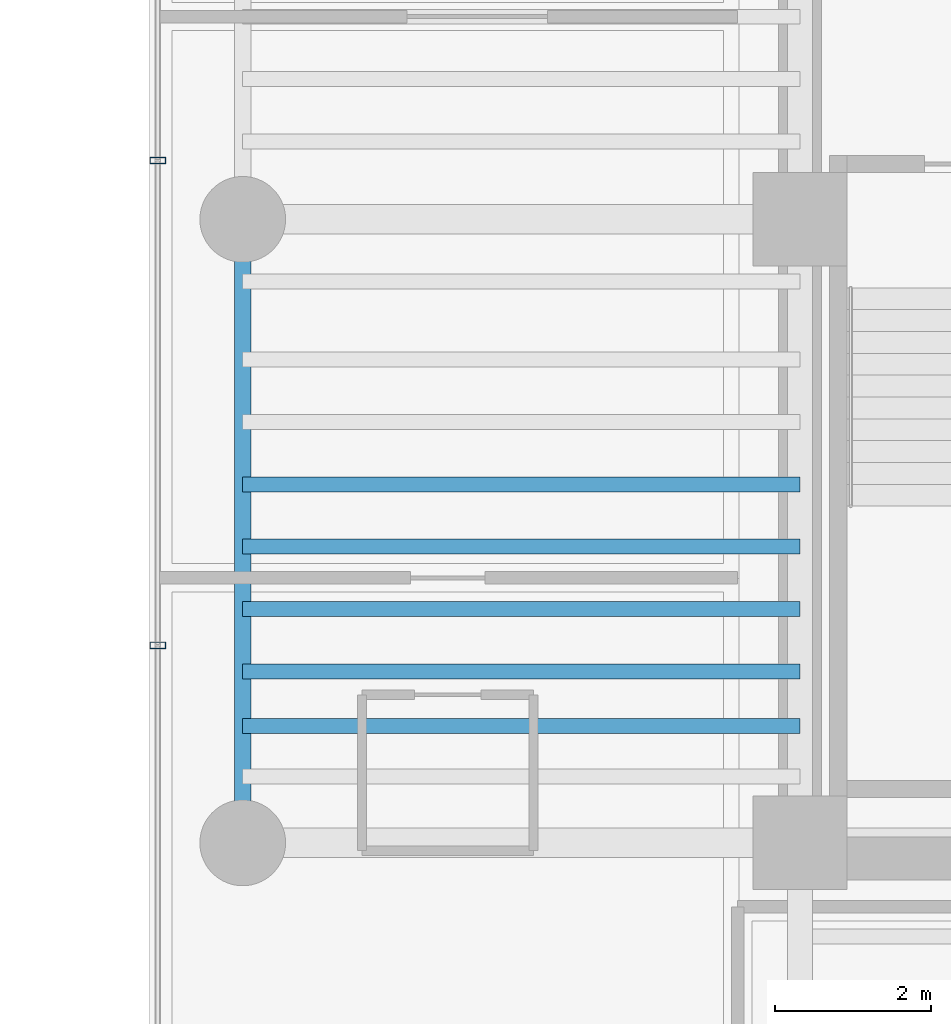
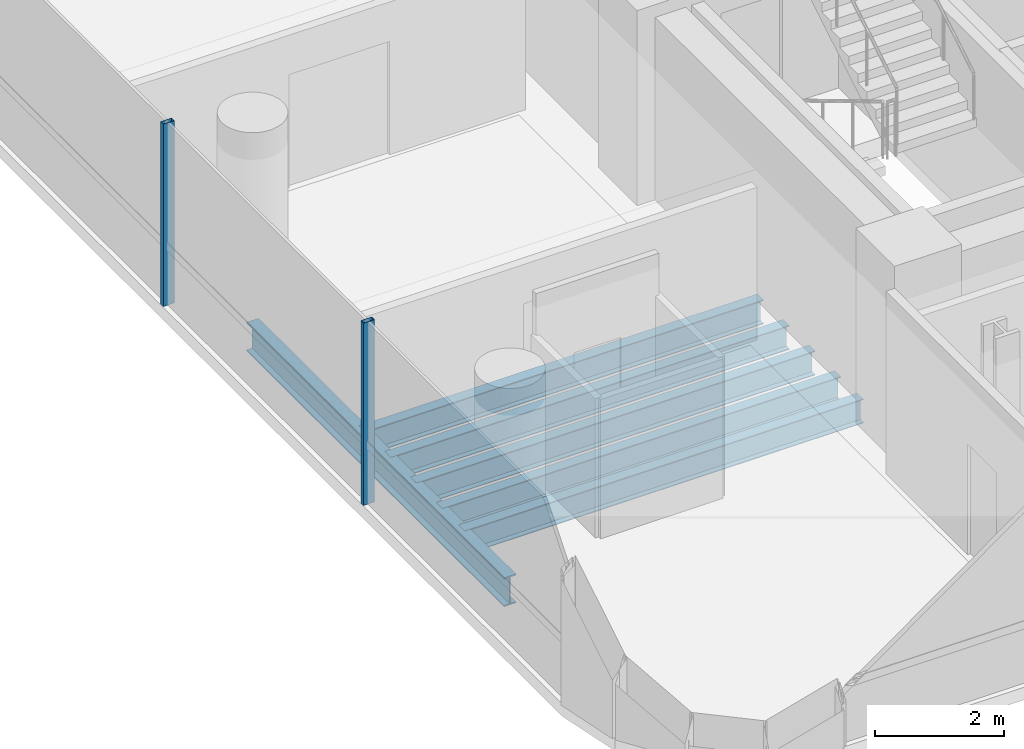
# One storey, part 4 of 36: 6 beams, 2 members, 1 element without a shape of its own.
"""IFC4 building model written with IfcOpenShell, lengths in metres."""

from ifc_helpers import new_model, si_unit, direction, frame, origin, origin_2d, place, context, subcontext, project, spatial, hollow_rectangle, i_section, extrude, source, transform, mapped, material, material_profile, profile_set, type_object, element, aggregate, save


model = new_model("IFC4")

# Units and contexts
model_context = context("Model", 3, precision=1e-05, world=origin(), true_north=direction((0.0, 1.0)))
body_context = subcontext(model_context, "Body", "Model", "MODEL_VIEW")
ifc_project = project(units=[si_unit("LENGTHUNIT", "METRE"), si_unit("AREAUNIT", "SQUARE_METRE"), si_unit("VOLUMEUNIT", "CUBIC_METRE"), si_unit("PLANEANGLEUNIT", "RADIAN"), si_unit("MASSUNIT", "GRAM", prefix="KILO")], contexts=[model_context])

# Site, building, storey
site_placement = place(None, origin())
site = spatial("IfcSite", under=ifc_project, at=site_placement, CompositionType="ELEMENT")
building_placement = place(site_placement, origin())
building = spatial("IfcBuilding", under=site, at=building_placement, Name="Valdorenza Pilgrim Sanctuary Tower", CompositionType="ELEMENT")
storey_placement = place(building_placement, frame((0.0, 0.0, 153.800048828125)))
storey = spatial("IfcBuildingStorey", under=building, at=storey_placement, Name="L39", CompositionType="ELEMENT", Elevation=153.800048828125)

# Beams
ifc_material_1 = material(Name="Steel ASTM A992 Grade 50", Category="steel")
ifc_material_profile_1 = material_profile(ifc_material_1, i_section(OverallWidth=0.214111328125, OverallDepth=0.549072265625, WebThickness=0.0146484375, FlangeThickness=0.023681640625, at=origin_2d()), Name="W21X93")
ifc_profile_set_1 = profile_set([ifc_material_profile_1], Name="Steel ASTM A992 Grade 50")
beam_type_1 = type_object("IfcBeamType", Name="STR-BM-SPN-W21A", PredefinedType="SPANDREL", material=ifc_profile_set_1)
shared_shape_1 = source(origin(), body_context, "Body", "SweptSolid", [
    extrude(i_section(OverallWidth=0.214111328125, OverallDepth=0.549072265625, WebThickness=0.0146484375, FlangeThickness=0.023681640625, at=origin_2d()), origin(), (0.0, 0.0, 1.0), 8.0),
])
beam_placement = place(storey_placement, frame((-29.800048828125, -10.60009765625, -0.5146484375), z_axis=(0.0, 1.0, 0.0), x_axis=(-1.0, 0.0, 0.0)))
element("IfcBeam", 1, at=beam_placement, inside=storey, type_object=beam_type_1, Name="L39 Spandrel Beam WA-W-S1M0", PredefinedType="SPANDREL", context=body_context, shape_type="MappedRepresentation", body=[
    mapped(shared_shape_1, transform((0.0, 0.0, 0.0), x_axis=(1.0, 0.0, 0.0), y_axis=(0.0, 1.0, 0.0), z_axis=(0.0, 0.0, 1.0), scale=1.0)),
])
ifc_material_profile_2 = material_profile(ifc_material_1, i_section(OverallWidth=0.19091796875, OverallDepth=0.45703125, WebThickness=0.009033203125, FlangeThickness=0.014404296875, at=origin_2d()), Name="W18X50")
ifc_profile_set_2 = profile_set([ifc_material_profile_2], Name="Steel ASTM A992 Grade 50")
beam_type_2 = type_object("IfcBeamType", Name="STR-BM-JST-W18B", PredefinedType="JOIST", material=ifc_profile_set_2)
shared_shape_2 = source(origin(), body_context, "Body", "SweptSolid", [
    extrude(i_section(OverallWidth=0.19091796875, OverallDepth=0.45703125, WebThickness=0.009033203125, FlangeThickness=0.014404296875, at=origin_2d()), origin(), (0.0, 0.0, 1.0), 7.150146484375),
])
for number, where, z_axis, x_axis, name in (
    (2, (-29.800048828125, -9.10009765625, -0.468505859375), (1.0, 0.0, 0.0), (0.0, 1.0, 0.0), "L39 Composite Floor Joist JST-WA-2"),
    (3, (-29.800048828125, -8.39990234375, -0.468505859375), (1.0, 0.0, 0.0), (0.0, 1.0, 0.0), "L39 Composite Floor Joist JST-WA-3"),
    (4, (-29.800048828125, -7.60009765625, -0.468505859375), (1.0, 0.0, 0.0), (0.0, 1.0, 0.0), "L39 Composite Floor Joist JST-WA-4"),
    (5, (-29.800048828125, -6.800048828125, -0.468505859375), (1.0, 0.0, 0.0), (0.0, 1.0, 0.0), "L39 Composite Floor Joist JST-WA-5"),
    (6, (-29.800048828125, -6.0, -0.468505859375), (1.0, 0.0, 0.0), (0.0, 1.0, 0.0), "L39 Composite Floor Joist JST-WA-6"),
):
    element("IfcBeam", number, at=place(storey_placement, frame(where, z_axis=z_axis, x_axis=x_axis)), inside=storey, type_object=beam_type_2, Name=name, PredefinedType="JOIST", context=body_context, shape_type="MappedRepresentation", body=[
        mapped(shared_shape_2, transform((0.0, 0.0, 0.0), x_axis=(1.0, 0.0, 0.0), y_axis=(0.0, 1.0, 0.0), z_axis=(0.0, 0.0, 1.0), scale=1.0)),
    ])

# Curtain wall, members
ifc_material_2 = material(Name="Curtain-wall IGU glazing", Category="glass")
curtain_wall_type = type_object("IfcCurtainWallType", Name="CW-SYS-02", PredefinedType="NOTDEFINED", material=ifc_material_2)
curtain_wall_placement = place(storey_placement, origin())
curtain_wall = element("IfcCurtainWall", 7, at=curtain_wall_placement, inside=storey, type_object=curtain_wall_type, Name="L39 Curtain Wall CW-L39-1-1S1", PredefinedType="NOTDEFINED")
ifc_material_3 = material(Name="Anodised aluminium AW-6060", Category="aluminium")
ifc_material_profile_3 = material_profile(ifc_material_3, hollow_rectangle(XDim=0.0849609375, YDim=0.199951171875, WallThickness=0.0048828125, at=origin_2d()), Name="ALU-M 200x85x5")
ifc_profile_set_3 = profile_set([ifc_material_profile_3], Name="Anodised aluminium AW-6060")
member_type = type_object("IfcMemberType", Name="CW-MUL-02", PredefinedType="MULLION", material=ifc_profile_set_3)
shared_shape_3 = source(origin(), body_context, "Body", "SweptSolid", [
    extrude(hollow_rectangle(XDim=0.0849609375, YDim=0.199951171875, WallThickness=0.0048828125, at=origin_2d()), origin(), (0.0, 0.0, 1.0), 3.4599609375),
])
member_1_placement = place(storey_placement, frame((-30.889892578125, -8.06689453125, 0.0), z_axis=(0.0, 0.0, 1.0), x_axis=(0.0, 1.0, 0.0)))
member_1 = element("IfcMember", 8, at=member_1_placement, type_object=member_type, Name="CW-L39-1-1S1 Mullion 2", PredefinedType="MULLION", context=body_context, shape_type="MappedRepresentation", body=[
    mapped(shared_shape_3, transform((0.0, 0.0, 0.0), x_axis=(1.0, 0.0, 0.0), y_axis=(0.0, 1.0, 0.0), z_axis=(0.0, 0.0, 1.0), scale=1.0)),
])
member_2_placement = place(storey_placement, frame((-30.889892578125, -1.844482421875, 0.0), z_axis=(0.0, 0.0, 1.0), x_axis=(0.0, 1.0, 0.0)))
member_2 = element("IfcMember", 9, at=member_2_placement, type_object=member_type, Name="CW-L39-1-1S1 Mullion 3", PredefinedType="MULLION", context=body_context, shape_type="MappedRepresentation", body=[
    mapped(shared_shape_3, transform((0.0, 0.0, 0.0), x_axis=(1.0, 0.0, 0.0), y_axis=(0.0, 1.0, 0.0), z_axis=(0.0, 0.0, 1.0), scale=1.0)),
])
aggregate(curtain_wall, [member_1, member_2])

save(model, "model.ifc")
